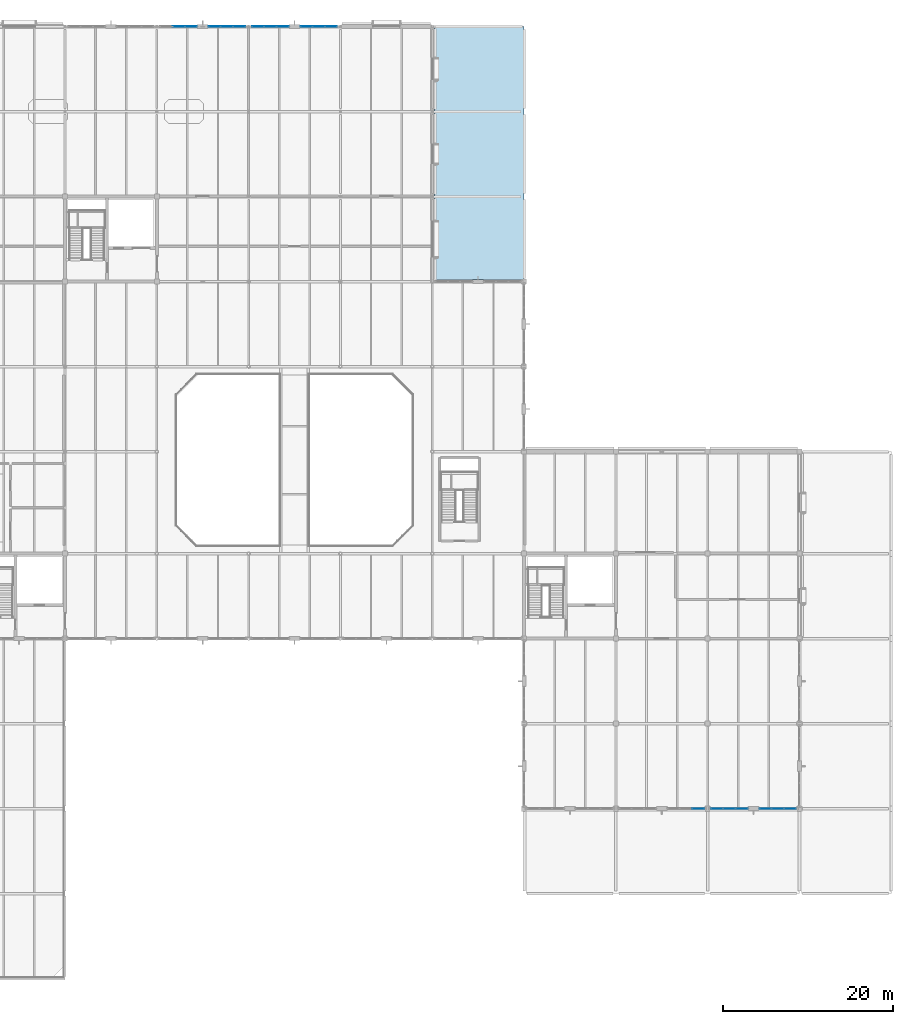
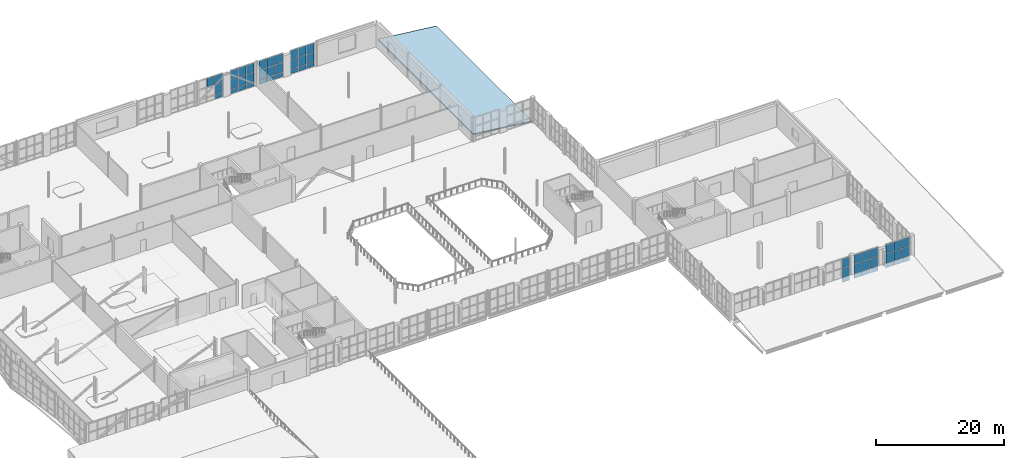
# One storey, part 70 of 100: 52 plates, 1 slab, 7 elements without a shape of their own.
"""IFC4 building model written with IfcOpenShell, lengths in metres."""

from ifc_helpers import new_model, si_unit, direction, frame, origin, origin_2d, place, context, subcontext, project, spatial, polyline, rectangle, outline, extrude, material, layer, layer_set, type_object, element, aggregate, save


model = new_model("IFC4")

# Units and contexts
model_context = context("Model", 3, precision=1e-05, world=origin(), true_north=direction((0.0, 1.0)))
body_context = subcontext(model_context, "Body", "Model", "MODEL_VIEW")
ifc_project = project(units=[si_unit("LENGTHUNIT", "METRE"), si_unit("AREAUNIT", "SQUARE_METRE"), si_unit("VOLUMEUNIT", "CUBIC_METRE"), si_unit("PLANEANGLEUNIT", "RADIAN"), si_unit("MASSUNIT", "GRAM", prefix="KILO")], contexts=[model_context])

# Site, building, storey
site_placement = place(None, origin())
site = spatial("IfcSite", under=ifc_project, at=site_placement, CompositionType="ELEMENT")
building_placement = place(site_placement, origin())
building = spatial("IfcBuilding", under=site, at=building_placement, Name="Tasgan Crest Museum", CompositionType="ELEMENT")
storey_placement = place(building_placement, frame((0.0, 0.0, 9.60009765625)))
storey = spatial("IfcBuildingStorey", under=building, at=storey_placement, Name="L02", CompositionType="ELEMENT", Elevation=9.60009765625)

# Curtain wall, plate
ifc_material_1 = material(Name="Triple-Glazed Aluminium Curtain Wall", Category="aluminium")
ifc_layer_1 = layer(ifc_material_1, 0.179931640625, Name="CW-GAL-X-48")
ifc_layer_set_1 = layer_set([ifc_layer_1], Name="Triple-Glazed Aluminium Curtain Wall")
curtain_wall_type = type_object("IfcCurtainWallType", Name="CW-GAL-X-48", PredefinedType="NOTDEFINED", material=ifc_layer_set_1)
curtain_wall_1_placement = place(storey_placement, origin())
curtain_wall_1 = element("IfcCurtainWall", 1, at=curtain_wall_1_placement, inside=storey, type_object=curtain_wall_type, Name="Curtain wall L02 068", PredefinedType="NOTDEFINED")
ifc_material_2 = material(Name="Insulated Spandrel Glass", Category="glass")
ifc_layer_2 = layer(ifc_material_2, 0.052001953125, Name="CW-PANEL-SPANDREL")
ifc_layer_set_2 = layer_set([ifc_layer_2], Name="Insulated Spandrel Glass")
plate_type_1 = type_object("IfcPlateType", Name="CW-PANEL-SPANDREL", PredefinedType="CURTAIN_PANEL", material=ifc_layer_set_2)
plate_1_placement = place(storey_placement, frame((128.48828125, 20.0, 0.059814453125), z_axis=(0.0, 0.0, 1.0), x_axis=(1.0, 0.0, 0.0)))
plate_1 = element("IfcPlate", 2, at=plate_1_placement, type_object=plate_type_1, Name="CW13 panel 3.1", PredefinedType="CURTAIN_PANEL", context=body_context, shape_type="SweptSolid", body=[
    extrude(rectangle(XDim=1.373291015625, YDim=0.028076171875, at=origin_2d()), origin(), (0.0, 0.0, 1.0), 0.81005859375),
])

# Curtain wall, plates
curtain_wall_2_placement = place(storey_placement, origin())
curtain_wall_2 = element("IfcCurtainWall", 3, at=curtain_wall_2_placement, inside=storey, type_object=curtain_wall_type, Name="Curtain wall L02 069", PredefinedType="NOTDEFINED")
plate_2_placement = place(storey_placement, frame((130.711669921875, 20.0, 0.059814453125), z_axis=(0.0, 0.0, 1.0), x_axis=(1.0, 0.0, 0.0)))
plate_2 = element("IfcPlate", 4, at=plate_2_placement, type_object=plate_type_1, Name="CW13 panel 1.1", PredefinedType="CURTAIN_PANEL", context=body_context, shape_type="SweptSolid", body=[
    extrude(rectangle(XDim=1.373291015625, YDim=0.028076171875, at=origin_2d()), origin(), (0.0, 0.0, 1.0), 0.81005859375),
])
plate_3_placement = place(storey_placement, frame((132.159912109375, 20.0, 0.059814453125), z_axis=(0.0, 0.0, 1.0), x_axis=(1.0, 0.0, 0.0)))
plate_3 = element("IfcPlate", 5, at=plate_3_placement, type_object=plate_type_1, Name="CW13 panel 2.1", PredefinedType="CURTAIN_PANEL", context=body_context, shape_type="SweptSolid", body=[
    extrude(rectangle(XDim=1.4033203125, YDim=0.028076171875, at=origin_2d()), origin(), (0.0, 0.0, 1.0), 0.81005859375),
])
plate_4_placement = place(storey_placement, frame((133.6083984375, 20.0, 0.059814453125), z_axis=(0.0, 0.0, 1.0), x_axis=(1.0, 0.0, 0.0)))
plate_4 = element("IfcPlate", 6, at=plate_4_placement, type_object=plate_type_1, Name="CW13 panel 3.1", PredefinedType="CURTAIN_PANEL", context=body_context, shape_type="SweptSolid", body=[
    extrude(rectangle(XDim=1.373291015625, YDim=0.028076171875, at=origin_2d()), origin(), (0.0, 0.0, 1.0), 0.81005859375),
])

curtain_wall_3_placement = place(storey_placement, origin())
curtain_wall_3 = element("IfcCurtainWall", 7, at=curtain_wall_3_placement, inside=storey, type_object=curtain_wall_type, Name="Curtain wall L02 070", PredefinedType="NOTDEFINED")
plate_5_placement = place(storey_placement, frame((136.3916015625, 20.0, 0.059814453125), z_axis=(0.0, 0.0, 1.0), x_axis=(1.0, 0.0, 0.0)))
plate_5 = element("IfcPlate", 8, at=plate_5_placement, type_object=plate_type_1, Name="CW13 panel 1.1", PredefinedType="CURTAIN_PANEL", context=body_context, shape_type="SweptSolid", body=[
    extrude(rectangle(XDim=1.373291015625, YDim=0.028076171875, at=origin_2d()), origin(), (0.0, 0.0, 1.0), 0.81005859375),
])
plate_6_placement = place(storey_placement, frame((137.840087890625, 20.0, 0.059814453125), z_axis=(0.0, 0.0, 1.0), x_axis=(1.0, 0.0, 0.0)))
plate_6 = element("IfcPlate", 9, at=plate_6_placement, type_object=plate_type_1, Name="CW13 panel 2.1", PredefinedType="CURTAIN_PANEL", context=body_context, shape_type="SweptSolid", body=[
    extrude(rectangle(XDim=1.4033203125, YDim=0.028076171875, at=origin_2d()), origin(), (0.0, 0.0, 1.0), 0.81005859375),
])
plate_7_placement = place(storey_placement, frame((139.288330078125, 20.0, 0.059814453125), z_axis=(0.0, 0.0, 1.0), x_axis=(1.0, 0.0, 0.0)))
plate_7 = element("IfcPlate", 10, at=plate_7_placement, type_object=plate_type_1, Name="CW13 panel 3.1", PredefinedType="CURTAIN_PANEL", context=body_context, shape_type="SweptSolid", body=[
    extrude(rectangle(XDim=1.373291015625, YDim=0.028076171875, at=origin_2d()), origin(), (0.0, 0.0, 1.0), 0.81005859375),
])

curtain_wall_4_placement = place(storey_placement, origin())
curtain_wall_4 = element("IfcCurtainWall", 11, at=curtain_wall_4_placement, inside=storey, type_object=curtain_wall_type, Name="Curtain wall L02 081", PredefinedType="NOTDEFINED")
plate_8_placement = place(storey_placement, frame((85.288330078125, 112.0, 0.059814453125), z_axis=(0.0, 0.0, 1.0), x_axis=(-1.0, 0.0, 0.0)))
plate_8 = element("IfcPlate", 12, at=plate_8_placement, type_object=plate_type_1, Name="CW13 panel 1.1", PredefinedType="CURTAIN_PANEL", context=body_context, shape_type="SweptSolid", body=[
    extrude(rectangle(XDim=1.373291015625, YDim=0.028076171875, at=origin_2d()), origin(), (0.0, 0.0, 1.0), 0.81005859375),
])
plate_9_placement = place(storey_placement, frame((83.840087890625, 112.0, 0.059814453125), z_axis=(0.0, 0.0, 1.0), x_axis=(-1.0, 0.0, 0.0)))
plate_9 = element("IfcPlate", 13, at=plate_9_placement, type_object=plate_type_1, Name="CW13 panel 2.1", PredefinedType="CURTAIN_PANEL", context=body_context, shape_type="SweptSolid", body=[
    extrude(rectangle(XDim=1.4033203125, YDim=0.028076171875, at=origin_2d()), origin(), (0.0, 0.0, 1.0), 0.81005859375),
])
plate_10_placement = place(storey_placement, frame((82.3916015625, 112.0, 0.059814453125), z_axis=(0.0, 0.0, 1.0), x_axis=(-1.0, 0.0, 0.0)))
plate_10 = element("IfcPlate", 14, at=plate_10_placement, type_object=plate_type_1, Name="CW13 panel 3.1", PredefinedType="CURTAIN_PANEL", context=body_context, shape_type="SweptSolid", body=[
    extrude(rectangle(XDim=1.373291015625, YDim=0.028076171875, at=origin_2d()), origin(), (0.0, 0.0, 1.0), 0.81005859375),
])

curtain_wall_5_placement = place(storey_placement, origin())
curtain_wall_5 = element("IfcCurtainWall", 15, at=curtain_wall_5_placement, inside=storey, type_object=curtain_wall_type, Name="Curtain wall L02 082", PredefinedType="NOTDEFINED")
plate_11_placement = place(storey_placement, frame((79.6083984375, 112.0, 0.059814453125), z_axis=(0.0, 0.0, 1.0), x_axis=(-1.0, 0.0, 0.0)))
plate_11 = element("IfcPlate", 16, at=plate_11_placement, type_object=plate_type_1, Name="CW13 panel 1.1", PredefinedType="CURTAIN_PANEL", context=body_context, shape_type="SweptSolid", body=[
    extrude(rectangle(XDim=1.373291015625, YDim=0.028076171875, at=origin_2d()), origin(), (0.0, 0.0, 1.0), 0.81005859375),
])
plate_12_placement = place(storey_placement, frame((78.159912109375, 112.0, 0.059814453125), z_axis=(0.0, 0.0, 1.0), x_axis=(-1.0, 0.0, 0.0)))
plate_12 = element("IfcPlate", 17, at=plate_12_placement, type_object=plate_type_1, Name="CW13 panel 2.1", PredefinedType="CURTAIN_PANEL", context=body_context, shape_type="SweptSolid", body=[
    extrude(rectangle(XDim=1.4033203125, YDim=0.028076171875, at=origin_2d()), origin(), (0.0, 0.0, 1.0), 0.81005859375),
])
plate_13_placement = place(storey_placement, frame((76.711669921875, 112.0, 0.059814453125), z_axis=(0.0, 0.0, 1.0), x_axis=(-1.0, 0.0, 0.0)))
plate_13 = element("IfcPlate", 18, at=plate_13_placement, type_object=plate_type_1, Name="CW13 panel 3.1", PredefinedType="CURTAIN_PANEL", context=body_context, shape_type="SweptSolid", body=[
    extrude(rectangle(XDim=1.373291015625, YDim=0.028076171875, at=origin_2d()), origin(), (0.0, 0.0, 1.0), 0.81005859375),
])

curtain_wall_6_placement = place(storey_placement, origin())
curtain_wall_6 = element("IfcCurtainWall", 19, at=curtain_wall_6_placement, inside=storey, type_object=curtain_wall_type, Name="Curtain wall L02 083", PredefinedType="NOTDEFINED")
plate_14_placement = place(storey_placement, frame((74.48828125, 112.0, 0.059814453125), z_axis=(0.0, 0.0, 1.0), x_axis=(-1.0, 0.0, 0.0)))
plate_14 = element("IfcPlate", 20, at=plate_14_placement, type_object=plate_type_1, Name="CW13 panel 1.1", PredefinedType="CURTAIN_PANEL", context=body_context, shape_type="SweptSolid", body=[
    extrude(rectangle(XDim=1.373291015625, YDim=0.028076171875, at=origin_2d()), origin(), (0.0, 0.0, 1.0), 0.81005859375),
])
plate_15_placement = place(storey_placement, frame((73.0400390625, 112.0, 0.059814453125), z_axis=(0.0, 0.0, 1.0), x_axis=(-1.0, 0.0, 0.0)))
plate_15 = element("IfcPlate", 21, at=plate_15_placement, type_object=plate_type_1, Name="CW13 panel 2.1", PredefinedType="CURTAIN_PANEL", context=body_context, shape_type="SweptSolid", body=[
    extrude(rectangle(XDim=1.4033203125, YDim=0.028076171875, at=origin_2d()), origin(), (0.0, 0.0, 1.0), 0.81005859375),
])
plate_16_placement = place(storey_placement, frame((71.591552734375, 112.0, 0.059814453125), z_axis=(0.0, 0.0, 1.0), x_axis=(-1.0, 0.0, 0.0)))
plate_16 = element("IfcPlate", 22, at=plate_16_placement, type_object=plate_type_1, Name="CW13 panel 3.1", PredefinedType="CURTAIN_PANEL", context=body_context, shape_type="SweptSolid", body=[
    extrude(rectangle(XDim=1.373291015625, YDim=0.028076171875, at=origin_2d()), origin(), (0.0, 0.0, 1.0), 0.81005859375),
])

# Curtain wall, plate
curtain_wall_7_placement = place(storey_placement, origin())
curtain_wall_7 = element("IfcCurtainWall", 23, at=curtain_wall_7_placement, inside=storey, type_object=curtain_wall_type, Name="Curtain wall L02 084", PredefinedType="NOTDEFINED")
plate_17_placement = place(storey_placement, frame((68.808349609375, 112.0, 0.059814453125), z_axis=(0.0, 0.0, 1.0), x_axis=(-1.0, 0.0, 0.0)))
plate_17 = element("IfcPlate", 24, at=plate_17_placement, type_object=plate_type_1, Name="CW13 panel 1.1", PredefinedType="CURTAIN_PANEL", context=body_context, shape_type="SweptSolid", body=[
    extrude(rectangle(XDim=1.373291015625, YDim=0.028076171875, at=origin_2d()), origin(), (0.0, 0.0, 1.0), 0.81005859375),
])

# Plate
ifc_material_3 = material(Name="Low-E Triple Glazing", Category="glass")
ifc_layer_3 = layer(ifc_material_3, 0.0439453125, Name="CW-PANEL-TRIPLE")
ifc_layer_set_3 = layer_set([ifc_layer_3], Name="Low-E Triple Glazing")
plate_type_2 = type_object("IfcPlateType", Name="CW-PANEL-TRIPLE", PredefinedType="CURTAIN_PANEL", material=ifc_layer_set_3)
plate_18_placement = place(storey_placement, frame((128.48828125, 20.0, 0.9296875), z_axis=(0.0, 0.0, 1.0), x_axis=(1.0, 0.0, 0.0)))
plate_18 = element("IfcPlate", 25, at=plate_18_placement, type_object=plate_type_2, Name="CW13 panel 3.2", PredefinedType="CURTAIN_PANEL", context=body_context, shape_type="SweptSolid", body=[
    extrude(rectangle(XDim=1.373291015625, YDim=0.028076171875, at=origin_2d()), origin(), (0.0, 0.0, 1.0), 1.840087890625),
])

plate_19_placement = place(storey_placement, frame((128.48828125, 20.0, 2.829833984375), z_axis=(0.0, 0.0, 1.0), x_axis=(1.0, 0.0, 0.0)))
plate_19 = element("IfcPlate", 26, at=plate_19_placement, type_object=plate_type_2, Name="CW13 panel 3.3", PredefinedType="CURTAIN_PANEL", context=body_context, shape_type="SweptSolid", body=[
    extrude(rectangle(XDim=1.373291015625, YDim=0.028076171875, at=origin_2d()), origin(), (0.0, 0.0, 1.0), 1.669921875),
])

aggregate(curtain_wall_1, [plate_1, plate_18, plate_19])

plate_20_placement = place(storey_placement, frame((130.711669921875, 20.0, 0.9296875), z_axis=(0.0, 0.0, 1.0), x_axis=(1.0, 0.0, 0.0)))
plate_20 = element("IfcPlate", 27, at=plate_20_placement, type_object=plate_type_2, Name="CW13 panel 1.2", PredefinedType="CURTAIN_PANEL", context=body_context, shape_type="SweptSolid", body=[
    extrude(rectangle(XDim=1.373291015625, YDim=0.028076171875, at=origin_2d()), origin(), (0.0, 0.0, 1.0), 1.840087890625),
])

plate_21_placement = place(storey_placement, frame((130.711669921875, 20.0, 2.829833984375), z_axis=(0.0, 0.0, 1.0), x_axis=(1.0, 0.0, 0.0)))
plate_21 = element("IfcPlate", 28, at=plate_21_placement, type_object=plate_type_2, Name="CW13 panel 1.3", PredefinedType="CURTAIN_PANEL", context=body_context, shape_type="SweptSolid", body=[
    extrude(rectangle(XDim=1.373291015625, YDim=0.028076171875, at=origin_2d()), origin(), (0.0, 0.0, 1.0), 1.669921875),
])

plate_22_placement = place(storey_placement, frame((132.159912109375, 20.0, 0.9296875), z_axis=(0.0, 0.0, 1.0), x_axis=(1.0, 0.0, 0.0)))
plate_22 = element("IfcPlate", 29, at=plate_22_placement, type_object=plate_type_2, Name="CW13 panel 2.2", PredefinedType="CURTAIN_PANEL", context=body_context, shape_type="SweptSolid", body=[
    extrude(rectangle(XDim=1.4033203125, YDim=0.028076171875, at=origin_2d()), origin(), (0.0, 0.0, 1.0), 1.840087890625),
])

plate_23_placement = place(storey_placement, frame((132.159912109375, 20.0, 2.829833984375), z_axis=(0.0, 0.0, 1.0), x_axis=(1.0, 0.0, 0.0)))
plate_23 = element("IfcPlate", 30, at=plate_23_placement, type_object=plate_type_2, Name="CW13 panel 2.3", PredefinedType="CURTAIN_PANEL", context=body_context, shape_type="SweptSolid", body=[
    extrude(rectangle(XDim=1.4033203125, YDim=0.028076171875, at=origin_2d()), origin(), (0.0, 0.0, 1.0), 1.669921875),
])

plate_24_placement = place(storey_placement, frame((133.6083984375, 20.0, 0.9296875), z_axis=(0.0, 0.0, 1.0), x_axis=(1.0, 0.0, 0.0)))
plate_24 = element("IfcPlate", 31, at=plate_24_placement, type_object=plate_type_2, Name="CW13 panel 3.2", PredefinedType="CURTAIN_PANEL", context=body_context, shape_type="SweptSolid", body=[
    extrude(rectangle(XDim=1.373291015625, YDim=0.028076171875, at=origin_2d()), origin(), (0.0, 0.0, 1.0), 1.840087890625),
])

plate_25_placement = place(storey_placement, frame((133.6083984375, 20.0, 2.829833984375), z_axis=(0.0, 0.0, 1.0), x_axis=(1.0, 0.0, 0.0)))
plate_25 = element("IfcPlate", 32, at=plate_25_placement, type_object=plate_type_2, Name="CW13 panel 3.3", PredefinedType="CURTAIN_PANEL", context=body_context, shape_type="SweptSolid", body=[
    extrude(rectangle(XDim=1.373291015625, YDim=0.028076171875, at=origin_2d()), origin(), (0.0, 0.0, 1.0), 1.669921875),
])

aggregate(curtain_wall_2, [plate_2, plate_20, plate_21, plate_3, plate_22, plate_23, plate_4, plate_24, plate_25])

plate_26_placement = place(storey_placement, frame((136.3916015625, 20.0, 0.9296875), z_axis=(0.0, 0.0, 1.0), x_axis=(1.0, 0.0, 0.0)))
plate_26 = element("IfcPlate", 33, at=plate_26_placement, type_object=plate_type_2, Name="CW13 panel 1.2", PredefinedType="CURTAIN_PANEL", context=body_context, shape_type="SweptSolid", body=[
    extrude(rectangle(XDim=1.373291015625, YDim=0.028076171875, at=origin_2d()), origin(), (0.0, 0.0, 1.0), 1.840087890625),
])

plate_27_placement = place(storey_placement, frame((136.3916015625, 20.0, 2.829833984375), z_axis=(0.0, 0.0, 1.0), x_axis=(1.0, 0.0, 0.0)))
plate_27 = element("IfcPlate", 34, at=plate_27_placement, type_object=plate_type_2, Name="CW13 panel 1.3", PredefinedType="CURTAIN_PANEL", context=body_context, shape_type="SweptSolid", body=[
    extrude(rectangle(XDim=1.373291015625, YDim=0.028076171875, at=origin_2d()), origin(), (0.0, 0.0, 1.0), 1.669921875),
])

plate_28_placement = place(storey_placement, frame((137.840087890625, 20.0, 0.9296875), z_axis=(0.0, 0.0, 1.0), x_axis=(1.0, 0.0, 0.0)))
plate_28 = element("IfcPlate", 35, at=plate_28_placement, type_object=plate_type_2, Name="CW13 panel 2.2", PredefinedType="CURTAIN_PANEL", context=body_context, shape_type="SweptSolid", body=[
    extrude(rectangle(XDim=1.4033203125, YDim=0.028076171875, at=origin_2d()), origin(), (0.0, 0.0, 1.0), 1.840087890625),
])

plate_29_placement = place(storey_placement, frame((137.840087890625, 20.0, 2.829833984375), z_axis=(0.0, 0.0, 1.0), x_axis=(1.0, 0.0, 0.0)))
plate_29 = element("IfcPlate", 36, at=plate_29_placement, type_object=plate_type_2, Name="CW13 panel 2.3", PredefinedType="CURTAIN_PANEL", context=body_context, shape_type="SweptSolid", body=[
    extrude(rectangle(XDim=1.4033203125, YDim=0.028076171875, at=origin_2d()), origin(), (0.0, 0.0, 1.0), 1.669921875),
])

plate_30_placement = place(storey_placement, frame((139.288330078125, 20.0, 0.9296875), z_axis=(0.0, 0.0, 1.0), x_axis=(1.0, 0.0, 0.0)))
plate_30 = element("IfcPlate", 37, at=plate_30_placement, type_object=plate_type_2, Name="CW13 panel 3.2", PredefinedType="CURTAIN_PANEL", context=body_context, shape_type="SweptSolid", body=[
    extrude(rectangle(XDim=1.373291015625, YDim=0.028076171875, at=origin_2d()), origin(), (0.0, 0.0, 1.0), 1.840087890625),
])

plate_31_placement = place(storey_placement, frame((139.288330078125, 20.0, 2.829833984375), z_axis=(0.0, 0.0, 1.0), x_axis=(1.0, 0.0, 0.0)))
plate_31 = element("IfcPlate", 38, at=plate_31_placement, type_object=plate_type_2, Name="CW13 panel 3.3", PredefinedType="CURTAIN_PANEL", context=body_context, shape_type="SweptSolid", body=[
    extrude(rectangle(XDim=1.373291015625, YDim=0.028076171875, at=origin_2d()), origin(), (0.0, 0.0, 1.0), 1.669921875),
])

aggregate(curtain_wall_3, [plate_5, plate_26, plate_27, plate_6, plate_28, plate_29, plate_7, plate_30, plate_31])

plate_32_placement = place(storey_placement, frame((85.288330078125, 112.0, 0.9296875), z_axis=(0.0, 0.0, 1.0), x_axis=(-1.0, 0.0, 0.0)))
plate_32 = element("IfcPlate", 39, at=plate_32_placement, type_object=plate_type_2, Name="CW13 panel 1.2", PredefinedType="CURTAIN_PANEL", context=body_context, shape_type="SweptSolid", body=[
    extrude(rectangle(XDim=1.373291015625, YDim=0.028076171875, at=origin_2d()), origin(), (0.0, 0.0, 1.0), 1.840087890625),
])

plate_33_placement = place(storey_placement, frame((85.288330078125, 112.0, 2.829833984375), z_axis=(0.0, 0.0, 1.0), x_axis=(-1.0, 0.0, 0.0)))
plate_33 = element("IfcPlate", 40, at=plate_33_placement, type_object=plate_type_2, Name="CW13 panel 1.3", PredefinedType="CURTAIN_PANEL", context=body_context, shape_type="SweptSolid", body=[
    extrude(rectangle(XDim=1.373291015625, YDim=0.028076171875, at=origin_2d()), origin(), (0.0, 0.0, 1.0), 1.669921875),
])

plate_34_placement = place(storey_placement, frame((83.840087890625, 112.0, 0.9296875), z_axis=(0.0, 0.0, 1.0), x_axis=(-1.0, 0.0, 0.0)))
plate_34 = element("IfcPlate", 41, at=plate_34_placement, type_object=plate_type_2, Name="CW13 panel 2.2", PredefinedType="CURTAIN_PANEL", context=body_context, shape_type="SweptSolid", body=[
    extrude(rectangle(XDim=1.4033203125, YDim=0.028076171875, at=origin_2d()), origin(), (0.0, 0.0, 1.0), 1.840087890625),
])

plate_35_placement = place(storey_placement, frame((83.840087890625, 112.0, 2.829833984375), z_axis=(0.0, 0.0, 1.0), x_axis=(-1.0, 0.0, 0.0)))
plate_35 = element("IfcPlate", 42, at=plate_35_placement, type_object=plate_type_2, Name="CW13 panel 2.3", PredefinedType="CURTAIN_PANEL", context=body_context, shape_type="SweptSolid", body=[
    extrude(rectangle(XDim=1.4033203125, YDim=0.028076171875, at=origin_2d()), origin(), (0.0, 0.0, 1.0), 1.669921875),
])

plate_36_placement = place(storey_placement, frame((82.3916015625, 112.0, 0.9296875), z_axis=(0.0, 0.0, 1.0), x_axis=(-1.0, 0.0, 0.0)))
plate_36 = element("IfcPlate", 43, at=plate_36_placement, type_object=plate_type_2, Name="CW13 panel 3.2", PredefinedType="CURTAIN_PANEL", context=body_context, shape_type="SweptSolid", body=[
    extrude(rectangle(XDim=1.373291015625, YDim=0.028076171875, at=origin_2d()), origin(), (0.0, 0.0, 1.0), 1.840087890625),
])

plate_37_placement = place(storey_placement, frame((82.3916015625, 112.0, 2.829833984375), z_axis=(0.0, 0.0, 1.0), x_axis=(-1.0, 0.0, 0.0)))
plate_37 = element("IfcPlate", 44, at=plate_37_placement, type_object=plate_type_2, Name="CW13 panel 3.3", PredefinedType="CURTAIN_PANEL", context=body_context, shape_type="SweptSolid", body=[
    extrude(rectangle(XDim=1.373291015625, YDim=0.028076171875, at=origin_2d()), origin(), (0.0, 0.0, 1.0), 1.669921875),
])

aggregate(curtain_wall_4, [plate_8, plate_32, plate_33, plate_9, plate_34, plate_35, plate_10, plate_36, plate_37])

plate_38_placement = place(storey_placement, frame((79.6083984375, 112.0, 0.9296875), z_axis=(0.0, 0.0, 1.0), x_axis=(-1.0, 0.0, 0.0)))
plate_38 = element("IfcPlate", 45, at=plate_38_placement, type_object=plate_type_2, Name="CW13 panel 1.2", PredefinedType="CURTAIN_PANEL", context=body_context, shape_type="SweptSolid", body=[
    extrude(rectangle(XDim=1.373291015625, YDim=0.028076171875, at=origin_2d()), origin(), (0.0, 0.0, 1.0), 1.840087890625),
])

plate_39_placement = place(storey_placement, frame((79.6083984375, 112.0, 2.829833984375), z_axis=(0.0, 0.0, 1.0), x_axis=(-1.0, 0.0, 0.0)))
plate_39 = element("IfcPlate", 46, at=plate_39_placement, type_object=plate_type_2, Name="CW13 panel 1.3", PredefinedType="CURTAIN_PANEL", context=body_context, shape_type="SweptSolid", body=[
    extrude(rectangle(XDim=1.373291015625, YDim=0.028076171875, at=origin_2d()), origin(), (0.0, 0.0, 1.0), 1.669921875),
])

plate_40_placement = place(storey_placement, frame((78.159912109375, 112.0, 0.9296875), z_axis=(0.0, 0.0, 1.0), x_axis=(-1.0, 0.0, 0.0)))
plate_40 = element("IfcPlate", 47, at=plate_40_placement, type_object=plate_type_2, Name="CW13 panel 2.2", PredefinedType="CURTAIN_PANEL", context=body_context, shape_type="SweptSolid", body=[
    extrude(rectangle(XDim=1.4033203125, YDim=0.028076171875, at=origin_2d()), origin(), (0.0, 0.0, 1.0), 1.840087890625),
])

plate_41_placement = place(storey_placement, frame((78.159912109375, 112.0, 2.829833984375), z_axis=(0.0, 0.0, 1.0), x_axis=(-1.0, 0.0, 0.0)))
plate_41 = element("IfcPlate", 48, at=plate_41_placement, type_object=plate_type_2, Name="CW13 panel 2.3", PredefinedType="CURTAIN_PANEL", context=body_context, shape_type="SweptSolid", body=[
    extrude(rectangle(XDim=1.4033203125, YDim=0.028076171875, at=origin_2d()), origin(), (0.0, 0.0, 1.0), 1.669921875),
])

plate_42_placement = place(storey_placement, frame((76.711669921875, 112.0, 0.9296875), z_axis=(0.0, 0.0, 1.0), x_axis=(-1.0, 0.0, 0.0)))
plate_42 = element("IfcPlate", 49, at=plate_42_placement, type_object=plate_type_2, Name="CW13 panel 3.2", PredefinedType="CURTAIN_PANEL", context=body_context, shape_type="SweptSolid", body=[
    extrude(rectangle(XDim=1.373291015625, YDim=0.028076171875, at=origin_2d()), origin(), (0.0, 0.0, 1.0), 1.840087890625),
])

plate_43_placement = place(storey_placement, frame((76.711669921875, 112.0, 2.829833984375), z_axis=(0.0, 0.0, 1.0), x_axis=(-1.0, 0.0, 0.0)))
plate_43 = element("IfcPlate", 50, at=plate_43_placement, type_object=plate_type_2, Name="CW13 panel 3.3", PredefinedType="CURTAIN_PANEL", context=body_context, shape_type="SweptSolid", body=[
    extrude(rectangle(XDim=1.373291015625, YDim=0.028076171875, at=origin_2d()), origin(), (0.0, 0.0, 1.0), 1.669921875),
])

aggregate(curtain_wall_5, [plate_11, plate_38, plate_39, plate_12, plate_40, plate_41, plate_13, plate_42, plate_43])

plate_44_placement = place(storey_placement, frame((74.48828125, 112.0, 0.9296875), z_axis=(0.0, 0.0, 1.0), x_axis=(-1.0, 0.0, 0.0)))
plate_44 = element("IfcPlate", 51, at=plate_44_placement, type_object=plate_type_2, Name="CW13 panel 1.2", PredefinedType="CURTAIN_PANEL", context=body_context, shape_type="SweptSolid", body=[
    extrude(rectangle(XDim=1.373291015625, YDim=0.028076171875, at=origin_2d()), origin(), (0.0, 0.0, 1.0), 1.840087890625),
])

plate_45_placement = place(storey_placement, frame((74.48828125, 112.0, 2.829833984375), z_axis=(0.0, 0.0, 1.0), x_axis=(-1.0, 0.0, 0.0)))
plate_45 = element("IfcPlate", 52, at=plate_45_placement, type_object=plate_type_2, Name="CW13 panel 1.3", PredefinedType="CURTAIN_PANEL", context=body_context, shape_type="SweptSolid", body=[
    extrude(rectangle(XDim=1.373291015625, YDim=0.028076171875, at=origin_2d()), origin(), (0.0, 0.0, 1.0), 1.669921875),
])

plate_46_placement = place(storey_placement, frame((73.0400390625, 112.0, 0.9296875), z_axis=(0.0, 0.0, 1.0), x_axis=(-1.0, 0.0, 0.0)))
plate_46 = element("IfcPlate", 53, at=plate_46_placement, type_object=plate_type_2, Name="CW13 panel 2.2", PredefinedType="CURTAIN_PANEL", context=body_context, shape_type="SweptSolid", body=[
    extrude(rectangle(XDim=1.4033203125, YDim=0.028076171875, at=origin_2d()), origin(), (0.0, 0.0, 1.0), 1.840087890625),
])

plate_47_placement = place(storey_placement, frame((73.0400390625, 112.0, 2.829833984375), z_axis=(0.0, 0.0, 1.0), x_axis=(-1.0, 0.0, 0.0)))
plate_47 = element("IfcPlate", 54, at=plate_47_placement, type_object=plate_type_2, Name="CW13 panel 2.3", PredefinedType="CURTAIN_PANEL", context=body_context, shape_type="SweptSolid", body=[
    extrude(rectangle(XDim=1.4033203125, YDim=0.028076171875, at=origin_2d()), origin(), (0.0, 0.0, 1.0), 1.669921875),
])

plate_48_placement = place(storey_placement, frame((71.591552734375, 112.0, 0.9296875), z_axis=(0.0, 0.0, 1.0), x_axis=(-1.0, 0.0, 0.0)))
plate_48 = element("IfcPlate", 55, at=plate_48_placement, type_object=plate_type_2, Name="CW13 panel 3.2", PredefinedType="CURTAIN_PANEL", context=body_context, shape_type="SweptSolid", body=[
    extrude(rectangle(XDim=1.373291015625, YDim=0.028076171875, at=origin_2d()), origin(), (0.0, 0.0, 1.0), 1.840087890625),
])

plate_49_placement = place(storey_placement, frame((71.591552734375, 112.0, 2.829833984375), z_axis=(0.0, 0.0, 1.0), x_axis=(-1.0, 0.0, 0.0)))
plate_49 = element("IfcPlate", 56, at=plate_49_placement, type_object=plate_type_2, Name="CW13 panel 3.3", PredefinedType="CURTAIN_PANEL", context=body_context, shape_type="SweptSolid", body=[
    extrude(rectangle(XDim=1.373291015625, YDim=0.028076171875, at=origin_2d()), origin(), (0.0, 0.0, 1.0), 1.669921875),
])

aggregate(curtain_wall_6, [plate_14, plate_44, plate_45, plate_15, plate_46, plate_47, plate_16, plate_48, plate_49])

plate_50_placement = place(storey_placement, frame((68.808349609375, 112.0, 0.9296875), z_axis=(0.0, 0.0, 1.0), x_axis=(-1.0, 0.0, 0.0)))
plate_50 = element("IfcPlate", 57, at=plate_50_placement, type_object=plate_type_2, Name="CW13 panel 1.2", PredefinedType="CURTAIN_PANEL", context=body_context, shape_type="SweptSolid", body=[
    extrude(rectangle(XDim=1.373291015625, YDim=0.028076171875, at=origin_2d()), origin(), (0.0, 0.0, 1.0), 1.840087890625),
])

plate_51_placement = place(storey_placement, frame((68.808349609375, 112.0, 2.829833984375), z_axis=(0.0, 0.0, 1.0), x_axis=(-1.0, 0.0, 0.0)))
plate_51 = element("IfcPlate", 58, at=plate_51_placement, type_object=plate_type_2, Name="CW13 panel 1.3", PredefinedType="CURTAIN_PANEL", context=body_context, shape_type="SweptSolid", body=[
    extrude(rectangle(XDim=1.373291015625, YDim=0.028076171875, at=origin_2d()), origin(), (0.0, 0.0, 1.0), 1.669921875),
])

plate_52_placement = place(storey_placement, frame((67.360107421875, 112.0, 2.829833984375), z_axis=(0.0, 0.0, 1.0), x_axis=(-1.0, 0.0, 0.0)))
plate_52 = element("IfcPlate", 59, at=plate_52_placement, type_object=plate_type_2, Name="CW13 panel 2.3", PredefinedType="CURTAIN_PANEL", context=body_context, shape_type="SweptSolid", body=[
    extrude(rectangle(XDim=1.4033203125, YDim=0.028076171875, at=origin_2d()), origin(), (0.0, 0.0, 1.0), 1.669921875),
])

aggregate(curtain_wall_7, [plate_17, plate_50, plate_51, plate_52])

# Slab
ifc_material_4 = material(Name="Concrete C35/45", Category="concrete")
ifc_layer_4 = layer(ifc_material_4, 0.199951171875, Name="SL-ROOF-200")
ifc_layer_set_4 = layer_set([ifc_layer_4], Name="Concrete C35/45")
slab_type = type_object("IfcSlabType", Name="SL-ROOF-200", PredefinedType="ROOF", material=ifc_layer_set_4)
slab_placement = place(storey_placement, frame((97.449951171875, 82.25, 1.199951171875), z_axis=(0.113010288896, 0.0, 0.993593817716), x_axis=(0.993593817716, 0.0, -0.113010288896)))
element("IfcSlab", 60, at=slab_placement, inside=storey, type_object=slab_type, Name="North-east lower gallery sloped roof", PredefinedType="ROOF", context=body_context, shape_type="SweptSolid", body=[
    extrude(outline(polyline([(0.0, 0.0), (10.61807012082261, 0.0), (10.61807012082261, 29.75), (0.0, 29.75), (0.0, 0.0)])), origin(), (0.0, 0.0, -1.0), 0.199951171875),
])

save(model, "model.ifc")
